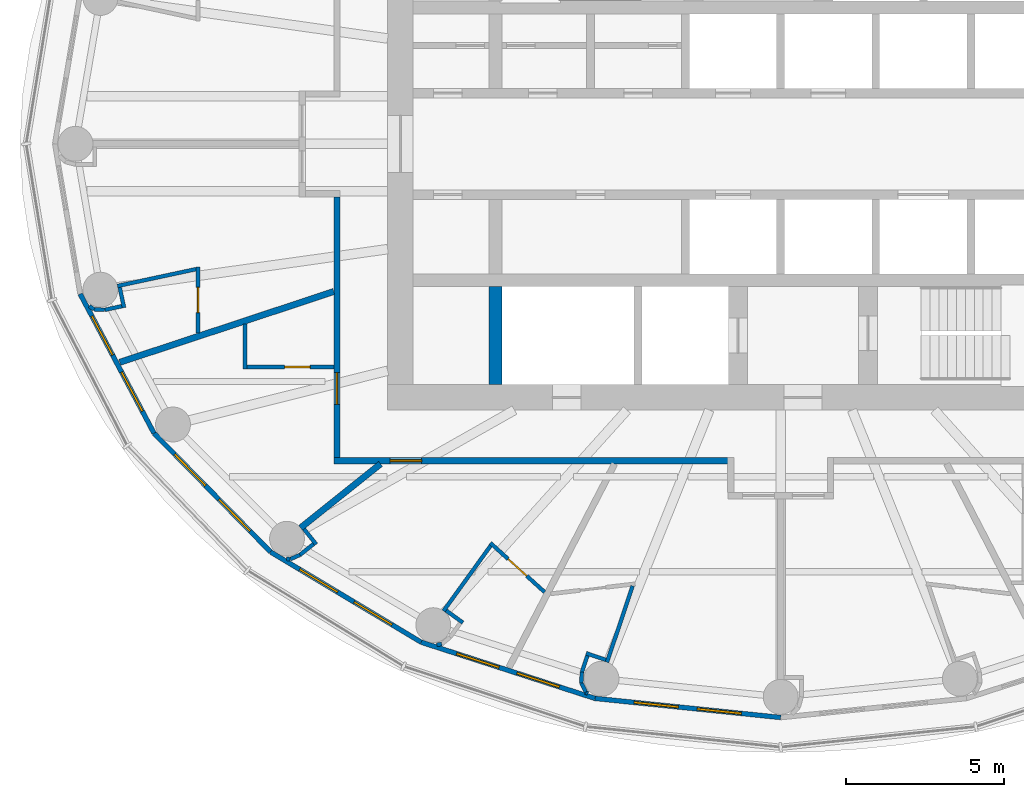
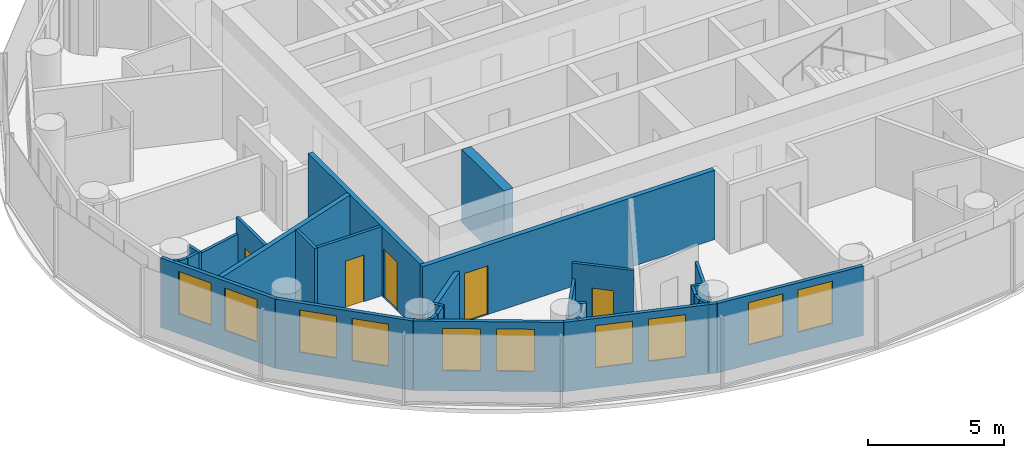
# One storey, part 6 of 13: 32 walls, 10 windows, 5 doors, 15 openings.
"""IFC4 building model written with IfcOpenShell, lengths in metres."""

from ifc_helpers import new_model, si_unit, direction, frame, frame_2d, origin, place, context, subcontext, project, spatial, rectangle, extrude, material, layer, layer_set, type_object, element, fill, save


model = new_model("IFC4")

# Units and contexts
model_context = context("Model", 3, precision=1e-05, world=origin(), true_north=direction((0.0, 1.0)))
body_context = subcontext(model_context, "Body", "Model", "MODEL_VIEW")
ifc_project = project(units=[si_unit("LENGTHUNIT", "METRE"), si_unit("AREAUNIT", "SQUARE_METRE"), si_unit("VOLUMEUNIT", "CUBIC_METRE"), si_unit("PLANEANGLEUNIT", "RADIAN"), si_unit("MASSUNIT", "GRAM", prefix="KILO")], contexts=[model_context])

# Site, building, storey
site_placement = place(None, origin())
site = spatial("IfcSite", under=ifc_project, at=site_placement, CompositionType="ELEMENT")
building_placement = place(site_placement, origin())
building = spatial("IfcBuilding", under=site, at=building_placement, Name="Hankou Lantern Tower", CompositionType="ELEMENT")
storey_placement = place(building_placement, frame((0.0, 0.0, 163.199951171875)))
storey = spatial("IfcBuildingStorey", under=building, at=storey_placement, Name="L43", CompositionType="ELEMENT", Elevation=163.199951171875)

# Wall
ifc_material_1 = material(Name="Concrete C60", Category="concrete")
ifc_layer_1 = layer(ifc_material_1, 0.39990234375)
ifc_layer_set_1 = layer_set([ifc_layer_1], Name="Concrete C60")
wall_type_1 = type_object("IfcWallType", Name="CW4 CORE CROSS WALL 400", PredefinedType="SHEAR", material=ifc_layer_set_1)
wall_1_placement = place(storey_placement, frame((-9.0, -7.60009765625, 0.0), z_axis=(0.0, 0.0, 1.0), x_axis=(0.0, 1.0, 0.0)))
element("IfcWall", 1, at=wall_1_placement, inside=storey, type_object=wall_type_1, Name="Core strip wall L43", PredefinedType="SHEAR", context=body_context, shape_type="SweptSolid", body=[
    extrude(rectangle(XDim=3.10009765625, YDim=0.39990234375, at=frame_2d((1.550048828125, 0.0))), origin(), (0.0, 0.0, 1.0), 3.300048828125),
])

# Wall, openings, windows
ifc_material_2 = material(Name="Aluminium spandrel panel on steel studs", Category="steel")
ifc_layer_2 = layer(ifc_material_2, 0.14990234375)
ifc_layer_set_2 = layer_set([ifc_layer_2], Name="Aluminium spandrel panel on steel studs")
wall_type_2 = type_object("IfcWallType", Name="EW1 INNER SKIN WALL 150", PredefinedType="ELEMENTEDWALL", material=ifc_layer_set_2)
wall_2_placement = place(storey_placement, frame((-22.1015625, -4.73779296875, 0.0), z_axis=(0.0, 0.0, 1.0), x_axis=(0.468428906714, -0.883501193748, 0.0)))
wall_2 = element("IfcWall", 2, at=wall_2_placement, inside=storey, type_object=wall_type_2, Name="Inner skin R14-R15 L43", PredefinedType="ELEMENTEDWALL", context=body_context, shape_type="SweptSolid", body=[
    extrude(rectangle(XDim=4.9736328125, YDim=0.14990234375, at=frame_2d((2.48681640625, 0.0))), origin(), (0.0, 0.0, 1.0), 3.1201171875),
])
opening_1_placement = place(wall_2_placement, frame((0.786865234375, 0.0, 0.89990234375)))
opening_1 = element("IfcOpeningElement", 3, at=opening_1_placement, cuts=wall_2, Name="Opening W3", PredefinedType="OPENING", context=body_context, shape_type="SweptSolid", body=[
    extrude(rectangle(XDim=1.39990234375, YDim=1.89990234375, at=frame_2d((0.699951171875, 0.949951171875))), frame((0.0, 0.0849609375, 0.0), z_axis=(0.0, -1.0, 0.0), x_axis=(1.0, 0.0, 0.0)), (0.0, 0.0, 1.0), 0.169921875),
])
opening_2_placement = place(wall_2_placement, frame((2.786865234375, 0.0, 0.89990234375)))
opening_2 = element("IfcOpeningElement", 4, at=opening_2_placement, cuts=wall_2, Name="Opening W3", PredefinedType="OPENING", context=body_context, shape_type="SweptSolid", body=[
    extrude(rectangle(XDim=1.39990234375, YDim=1.89990234375, at=frame_2d((0.699951171875, 0.949951171875))), frame((0.0, 0.0849609375, 0.0), z_axis=(0.0, -1.0, 0.0), x_axis=(1.0, 0.0, 0.0)), (0.0, 0.0, 1.0), 0.169921875),
])
ifc_material_3 = material(Name="Aluminium framed double glazed window", Category="aluminium")
window_type = type_object("IfcWindowType", Name="W3 GUEST ROOM WINDOW 1400X1900", PartitioningType="DOUBLE_PANEL_VERTICAL", PredefinedType="WINDOW", material=ifc_material_3)
window_1_placement = place(opening_1_placement, origin())
window_1 = element("IfcWindow", 5, at=window_1_placement, inside=storey, type_object=window_type, Name="Window R14.1 L43", OverallHeight=1.89990234375, OverallWidth=1.39990234375, PartitioningType="SINGLE_PANEL", PredefinedType="WINDOW", context=body_context, shape_type="SweptSolid", body=[
    extrude(rectangle(XDim=1.39990234375, YDim=1.89990234375, at=frame_2d((0.699951171875, 0.949951171875))), frame((0.0, 0.030029296875, 0.0), z_axis=(0.0, -1.0, 0.0), x_axis=(1.0, 0.0, 0.0)), (0.0, 0.0, 1.0), 0.06005859375),
])
fill(opening_1, window_1)
window_2_placement = place(opening_2_placement, origin())
window_2 = element("IfcWindow", 6, at=window_2_placement, inside=storey, type_object=window_type, Name="Window R14.2 L43", OverallHeight=1.89990234375, OverallWidth=1.39990234375, PartitioningType="SINGLE_PANEL", PredefinedType="WINDOW", context=body_context, shape_type="SweptSolid", body=[
    extrude(rectangle(XDim=1.39990234375, YDim=1.89990234375, at=frame_2d((0.699951171875, 0.949951171875))), frame((0.0, 0.030029296875, 0.0), z_axis=(0.0, -1.0, 0.0), x_axis=(1.0, 0.0, 0.0)), (0.0, 0.0, 1.0), 0.06005859375),
])
fill(opening_2, window_2)

wall_3_placement = place(storey_placement, frame((-19.771728515625, -9.132080078125, 0.0), z_axis=(0.0, 0.0, 1.0), x_axis=(0.700727467776, -0.71342905457, 0.0)))
wall_3 = element("IfcWall", 7, at=wall_3_placement, inside=storey, type_object=wall_type_2, Name="Inner skin R15-R16 L43", PredefinedType="ELEMENTEDWALL", context=body_context, shape_type="SweptSolid", body=[
    extrude(rectangle(XDim=5.247314453125, YDim=0.14990234375, at=frame_2d((2.62353515625, 0.0))), origin(), (0.0, 0.0, 1.0), 3.1201171875),
])
opening_3_placement = place(wall_3_placement, frame((0.923583984375, 0.0, 0.89990234375)))
opening_3 = element("IfcOpeningElement", 8, at=opening_3_placement, cuts=wall_3, Name="Opening W3", PredefinedType="OPENING", context=body_context, shape_type="SweptSolid", body=[
    extrude(rectangle(XDim=1.39990234375, YDim=1.89990234375, at=frame_2d((0.699951171875, 0.949951171875))), frame((0.0, 0.0849609375, 0.0), z_axis=(0.0, -1.0, 0.0), x_axis=(1.0, 0.0, 0.0)), (0.0, 0.0, 1.0), 0.169921875),
])
opening_4_placement = place(wall_3_placement, frame((2.923583984375, 0.0, 0.89990234375)))
opening_4 = element("IfcOpeningElement", 9, at=opening_4_placement, cuts=wall_3, Name="Opening W3", PredefinedType="OPENING", context=body_context, shape_type="SweptSolid", body=[
    extrude(rectangle(XDim=1.39990234375, YDim=1.89990234375, at=frame_2d((0.699951171875, 0.949951171875))), frame((0.0, 0.0849609375, 0.0), z_axis=(0.0, -1.0, 0.0), x_axis=(1.0, 0.0, 0.0)), (0.0, 0.0, 1.0), 0.169921875),
])
window_3_placement = place(opening_3_placement, origin())
window_3 = element("IfcWindow", 10, at=window_3_placement, inside=storey, type_object=window_type, Name="Window R15.1 L43", OverallHeight=1.89990234375, OverallWidth=1.39990234375, PartitioningType="SINGLE_PANEL", PredefinedType="WINDOW", context=body_context, shape_type="SweptSolid", body=[
    extrude(rectangle(XDim=1.39990234375, YDim=1.89990234375, at=frame_2d((0.699951171875, 0.949951171875))), frame((0.0, 0.030029296875, 0.0), z_axis=(0.0, -1.0, 0.0), x_axis=(1.0, 0.0, 0.0)), (0.0, 0.0, 1.0), 0.06005859375),
])
fill(opening_3, window_3)
window_4_placement = place(opening_4_placement, origin())
window_4 = element("IfcWindow", 11, at=window_4_placement, inside=storey, type_object=window_type, Name="Window R15.2 L43", OverallHeight=1.89990234375, OverallWidth=1.39990234375, PartitioningType="SINGLE_PANEL", PredefinedType="WINDOW", context=body_context, shape_type="SweptSolid", body=[
    extrude(rectangle(XDim=1.39990234375, YDim=1.89990234375, at=frame_2d((0.699951171875, 0.949951171875))), frame((0.0, 0.030029296875, 0.0), z_axis=(0.0, -1.0, 0.0), x_axis=(1.0, 0.0, 0.0)), (0.0, 0.0, 1.0), 0.06005859375),
])
fill(opening_4, window_4)

wall_4_placement = place(storey_placement, frame((-16.0947265625, -12.875732421875, 0.0), z_axis=(0.0, 0.0, 1.0), x_axis=(0.857695199231, -0.514158482587, 0.0)))
wall_4 = element("IfcWall", 12, at=wall_4_placement, inside=storey, type_object=wall_type_2, Name="Inner skin R16-R17 L43", PredefinedType="ELEMENTEDWALL", context=body_context, shape_type="SweptSolid", body=[
    extrude(rectangle(XDim=5.5361328125, YDim=0.14990234375, at=frame_2d((2.76806640625, 0.0))), origin(), (0.0, 0.0, 1.0), 3.1201171875),
])
opening_5_placement = place(wall_4_placement, frame((1.068115234375, 0.0, 0.89990234375)))
opening_5 = element("IfcOpeningElement", 13, at=opening_5_placement, cuts=wall_4, Name="Opening W3", PredefinedType="OPENING", context=body_context, shape_type="SweptSolid", body=[
    extrude(rectangle(XDim=1.39990234375, YDim=1.89990234375, at=frame_2d((0.699951171875, 0.949951171875))), frame((0.0, 0.0849609375, 0.0), z_axis=(0.0, -1.0, 0.0), x_axis=(1.0, 0.0, 0.0)), (0.0, 0.0, 1.0), 0.169921875),
])
opening_6_placement = place(wall_4_placement, frame((3.068115234375, 0.0, 0.89990234375)))
opening_6 = element("IfcOpeningElement", 14, at=opening_6_placement, cuts=wall_4, Name="Opening W3", PredefinedType="OPENING", context=body_context, shape_type="SweptSolid", body=[
    extrude(rectangle(XDim=1.39990234375, YDim=1.89990234375, at=frame_2d((0.699951171875, 0.949951171875))), frame((0.0, 0.0849609375, 0.0), z_axis=(0.0, -1.0, 0.0), x_axis=(1.0, 0.0, 0.0)), (0.0, 0.0, 1.0), 0.169921875),
])
window_5_placement = place(opening_5_placement, origin())
window_5 = element("IfcWindow", 15, at=window_5_placement, inside=storey, type_object=window_type, Name="Window R16.1 L43", OverallHeight=1.89990234375, OverallWidth=1.39990234375, PartitioningType="SINGLE_PANEL", PredefinedType="WINDOW", context=body_context, shape_type="SweptSolid", body=[
    extrude(rectangle(XDim=1.39990234375, YDim=1.89990234375, at=frame_2d((0.699951171875, 0.949951171875))), frame((0.0, 0.030029296875, 0.0), z_axis=(0.0, -1.0, 0.0), x_axis=(1.0, 0.0, 0.0)), (0.0, 0.0, 1.0), 0.06005859375),
])
fill(opening_5, window_5)
window_6_placement = place(opening_6_placement, origin())
window_6 = element("IfcWindow", 16, at=window_6_placement, inside=storey, type_object=window_type, Name="Window R16.2 L43", OverallHeight=1.89990234375, OverallWidth=1.39990234375, PartitioningType="SINGLE_PANEL", PredefinedType="WINDOW", context=body_context, shape_type="SweptSolid", body=[
    extrude(rectangle(XDim=1.39990234375, YDim=1.89990234375, at=frame_2d((0.699951171875, 0.949951171875))), frame((0.0, 0.030029296875, 0.0), z_axis=(0.0, -1.0, 0.0), x_axis=(1.0, 0.0, 0.0)), (0.0, 0.0, 1.0), 0.06005859375),
])
fill(opening_6, window_6)

wall_5_placement = place(storey_placement, frame((-11.346435546875, -15.72216796875, 0.0), z_axis=(0.0, 0.0, 1.0), x_axis=(0.951432482129, -0.307857486429, 0.0)))
wall_5 = element("IfcWall", 17, at=wall_5_placement, inside=storey, type_object=wall_type_2, Name="Inner skin R17-R18 L43", PredefinedType="ELEMENTEDWALL", context=body_context, shape_type="SweptSolid", body=[
    extrude(rectangle(XDim=5.76611328125, YDim=0.14990234375, at=frame_2d((2.883056640625, 0.0))), origin(), (0.0, 0.0, 1.0), 3.1201171875),
])
opening_7_placement = place(wall_5_placement, frame((1.18310546875, 0.0, 0.89990234375)))
opening_7 = element("IfcOpeningElement", 18, at=opening_7_placement, cuts=wall_5, Name="Opening W3", PredefinedType="OPENING", context=body_context, shape_type="SweptSolid", body=[
    extrude(rectangle(XDim=1.39990234375, YDim=1.89990234375, at=frame_2d((0.699951171875, 0.949951171875))), frame((0.0, 0.0849609375, 0.0), z_axis=(0.0, -1.0, 0.0), x_axis=(1.0, 0.0, 0.0)), (0.0, 0.0, 1.0), 0.169921875),
])
opening_8_placement = place(wall_5_placement, frame((3.18310546875, 0.0, 0.89990234375)))
opening_8 = element("IfcOpeningElement", 19, at=opening_8_placement, cuts=wall_5, Name="Opening W3", PredefinedType="OPENING", context=body_context, shape_type="SweptSolid", body=[
    extrude(rectangle(XDim=1.39990234375, YDim=1.89990234375, at=frame_2d((0.699951171875, 0.949951171875))), frame((0.0, 0.0849609375, 0.0), z_axis=(0.0, -1.0, 0.0), x_axis=(1.0, 0.0, 0.0)), (0.0, 0.0, 1.0), 0.169921875),
])
window_7_placement = place(opening_7_placement, origin())
window_7 = element("IfcWindow", 20, at=window_7_placement, inside=storey, type_object=window_type, Name="Window R17.1 L43", OverallHeight=1.89990234375, OverallWidth=1.39990234375, PartitioningType="SINGLE_PANEL", PredefinedType="WINDOW", context=body_context, shape_type="SweptSolid", body=[
    extrude(rectangle(XDim=1.39990234375, YDim=1.89990234375, at=frame_2d((0.699951171875, 0.949951171875))), frame((0.0, 0.030029296875, 0.0), z_axis=(0.0, -1.0, 0.0), x_axis=(1.0, 0.0, 0.0)), (0.0, 0.0, 1.0), 0.06005859375),
])
fill(opening_7, window_7)
window_8_placement = place(opening_8_placement, origin())
window_8 = element("IfcWindow", 21, at=window_8_placement, inside=storey, type_object=window_type, Name="Window R17.2 L43", OverallHeight=1.89990234375, OverallWidth=1.39990234375, PartitioningType="SINGLE_PANEL", PredefinedType="WINDOW", context=body_context, shape_type="SweptSolid", body=[
    extrude(rectangle(XDim=1.39990234375, YDim=1.89990234375, at=frame_2d((0.699951171875, 0.949951171875))), frame((0.0, 0.030029296875, 0.0), z_axis=(0.0, -1.0, 0.0), x_axis=(1.0, 0.0, 0.0)), (0.0, 0.0, 1.0), 0.06005859375),
])
fill(opening_8, window_8)

wall_6_placement = place(storey_placement, frame((-5.8603515625, -17.497314453125, 0.0), z_axis=(0.0, 0.0, 1.0), x_axis=(0.994751738032, -0.102318032045, 0.0)))
wall_6 = element("IfcWall", 22, at=wall_6_placement, inside=storey, type_object=wall_type_2, Name="Inner skin R18-R19 L43", PredefinedType="ELEMENTEDWALL", context=body_context, shape_type="SweptSolid", body=[
    extrude(rectangle(XDim=5.891357421875, YDim=0.14990234375, at=frame_2d((2.94580078125, 0.0))), origin(), (0.0, 0.0, 1.0), 3.1201171875),
])
opening_9_placement = place(wall_6_placement, frame((1.24560546875, 0.0, 0.89990234375)))
opening_9 = element("IfcOpeningElement", 23, at=opening_9_placement, cuts=wall_6, Name="Opening W3", PredefinedType="OPENING", context=body_context, shape_type="SweptSolid", body=[
    extrude(rectangle(XDim=1.39990234375, YDim=1.89990234375, at=frame_2d((0.699951171875, 0.949951171875))), frame((0.0, 0.0849609375, 0.0), z_axis=(0.0, -1.0, 0.0), x_axis=(1.0, 0.0, 0.0)), (0.0, 0.0, 1.0), 0.169921875),
])
opening_10_placement = place(wall_6_placement, frame((3.24560546875, 0.0, 0.89990234375)))
opening_10 = element("IfcOpeningElement", 24, at=opening_10_placement, cuts=wall_6, Name="Opening W3", PredefinedType="OPENING", context=body_context, shape_type="SweptSolid", body=[
    extrude(rectangle(XDim=1.39990234375, YDim=1.89990234375, at=frame_2d((0.699951171875, 0.949951171875))), frame((0.0, 0.0849609375, 0.0), z_axis=(0.0, -1.0, 0.0), x_axis=(1.0, 0.0, 0.0)), (0.0, 0.0, 1.0), 0.169921875),
])
window_9_placement = place(opening_9_placement, origin())
window_9 = element("IfcWindow", 25, at=window_9_placement, inside=storey, type_object=window_type, Name="Window R18.1 L43", OverallHeight=1.89990234375, OverallWidth=1.39990234375, PartitioningType="SINGLE_PANEL", PredefinedType="WINDOW", context=body_context, shape_type="SweptSolid", body=[
    extrude(rectangle(XDim=1.39990234375, YDim=1.89990234375, at=frame_2d((0.699951171875, 0.949951171875))), frame((0.0, 0.030029296875, 0.0), z_axis=(0.0, -1.0, 0.0), x_axis=(1.0, 0.0, 0.0)), (0.0, 0.0, 1.0), 0.06005859375),
])
fill(opening_9, window_9)
window_10_placement = place(opening_10_placement, origin())
window_10 = element("IfcWindow", 26, at=window_10_placement, inside=storey, type_object=window_type, Name="Window R18.2 L43", OverallHeight=1.89990234375, OverallWidth=1.39990234375, PartitioningType="SINGLE_PANEL", PredefinedType="WINDOW", context=body_context, shape_type="SweptSolid", body=[
    extrude(rectangle(XDim=1.39990234375, YDim=1.89990234375, at=frame_2d((0.699951171875, 0.949951171875))), frame((0.0, 0.030029296875, 0.0), z_axis=(0.0, -1.0, 0.0), x_axis=(1.0, 0.0, 0.0)), (0.0, 0.0, 1.0), 0.06005859375),
])
fill(opening_10, window_10)

# Walls
ifc_material_4 = material(Name="Masonry lightweight concrete block", Category="masonry")
ifc_layer_3 = layer(ifc_material_4, 0.199951171875)
ifc_layer_set_3 = layer_set([ifc_layer_3], Name="Masonry lightweight concrete block")
wall_type_3 = type_object("IfcWallType", Name="IW1 GUEST ROOM PARTY WALL 200", PredefinedType="PARTITIONING", material=ifc_layer_set_3)
wall_7_placement = place(storey_placement, frame((-14.10009765625, -4.661376953125, 0.0), z_axis=(0.0, 0.0, 1.0), x_axis=(-0.949453216399, -0.313908569285, 0.0)))
element("IfcWall", 27, at=wall_7_placement, inside=storey, type_object=wall_type_3, Name="Party wall R14-R15", PredefinedType="PARTITIONING", context=body_context, shape_type="SweptSolid", body=[
    extrude(rectangle(XDim=7.108642578125, YDim=0.199951171875, at=frame_2d((3.55419921875, 0.0))), origin(), (0.0, 0.0, 1.0), 3.1201171875),
])
wall_8_placement = place(storey_placement, frame((-12.625, -10.10009765625, 0.0), z_axis=(0.0, 0.0, 1.0), x_axis=(-0.780876185034, -0.624685827954, 0.0)))
element("IfcWall", 28, at=wall_8_placement, inside=storey, type_object=wall_type_3, Name="Party wall R16", PredefinedType="PARTITIONING", context=body_context, shape_type="SweptSolid", body=[
    extrude(rectangle(XDim=3.229248046875, YDim=0.199951171875, at=frame_2d((1.61474609375, 0.0))), origin(), (0.0, 0.0, 1.0), 2.420166015625),
])

# Wall, opening, door
ifc_material_5 = material(Name="Masonry lightweight concrete block", Category="masonry")
ifc_layer_4 = layer(ifc_material_5, 0.199951171875)
ifc_layer_set_4 = layer_set([ifc_layer_4], Name="Masonry lightweight concrete block")
wall_type_4 = type_object("IfcWallType", Name="IW2 CORRIDOR WALL 200", PredefinedType="PARTITIONING", material=ifc_layer_set_4)
wall_9_placement = place(storey_placement, frame((-14.0, -1.669921875, 0.0), z_axis=(0.0, 0.0, 1.0), x_axis=(0.0, -1.0, 0.0)))
wall_9 = element("IfcWall", 29, at=wall_9_placement, inside=storey, type_object=wall_type_4, Name="Corridor wall west", PredefinedType="PARTITIONING", context=body_context, shape_type="SweptSolid", body=[
    extrude(rectangle(XDim=8.22998046875, YDim=0.199951171875, at=frame_2d((4.114990234375, 0.0))), origin(), (0.0, 0.0, 1.0), 3.1201171875),
])
opening_11_placement = place(wall_9_placement, frame((5.551513671875, 0.0, 0.0)))
opening_11 = element("IfcOpeningElement", 30, at=opening_11_placement, cuts=wall_9, Name="Opening D1", PredefinedType="OPENING", context=body_context, shape_type="SweptSolid", body=[
    extrude(rectangle(XDim=1.0, YDim=2.199951171875, at=frame_2d((0.5, 1.10009765625))), frame((0.0, 0.10986328125, 0.0), z_axis=(0.0, -1.0, 0.0), x_axis=(1.0, 0.0, 0.0)), (0.0, 0.0, 1.0), 0.219970703125),
])
ifc_material_6 = material(Name="Steel door leaf", Category="steel")
door_type_1 = type_object("IfcDoorType", Name="D1 GUEST ROOM DOOR 1000X2200", OperationType="SINGLE_SWING_LEFT", PredefinedType="DOOR", material=ifc_material_6)
door_1_placement = place(opening_11_placement, origin())
door_1 = element("IfcDoor", 31, at=door_1_placement, inside=storey, type_object=door_type_1, Name="Guest room door 4305", OperationType="SINGLE_SWING_RIGHT", OverallHeight=2.199951171875, OverallWidth=1.0, PredefinedType="DOOR", context=body_context, shape_type="SweptSolid", body=[
    extrude(rectangle(XDim=1.0, YDim=2.199951171875, at=frame_2d((0.5, 1.10009765625))), frame((0.0, 0.02490234375, 0.0), z_axis=(0.0, -1.0, 0.0), x_axis=(1.0, 0.0, 0.0)), (0.0, 0.0, 1.0), 0.050048828125),
])
fill(opening_11, door_1)

wall_10_placement = place(storey_placement, frame((-1.669921875, -10.0, 0.0), z_axis=(0.0, 0.0, 1.0), x_axis=(-1.0, 0.0, 0.0)))
wall_10 = element("IfcWall", 32, at=wall_10_placement, inside=storey, type_object=wall_type_4, Name="Corridor wall south", PredefinedType="PARTITIONING", context=body_context, shape_type="SweptSolid", body=[
    extrude(rectangle(XDim=12.43017578125, YDim=0.199951171875, at=frame_2d((6.215087890625, 0.0))), origin(), (0.0, 0.0, 1.0), 3.1201171875),
])
opening_12_placement = place(wall_10_placement, frame((9.655029296875, 0.0, 0.0)))
opening_12 = element("IfcOpeningElement", 33, at=opening_12_placement, cuts=wall_10, Name="Opening D1", PredefinedType="OPENING", context=body_context, shape_type="SweptSolid", body=[
    extrude(rectangle(XDim=1.0, YDim=2.199951171875, at=frame_2d((0.5, 1.10009765625))), frame((0.0, 0.10986328125, 0.0), z_axis=(0.0, -1.0, 0.0), x_axis=(1.0, 0.0, 0.0)), (0.0, 0.0, 1.0), 0.219970703125),
])
door_2_placement = place(opening_12_placement, origin())
door_2 = element("IfcDoor", 34, at=door_2_placement, inside=storey, type_object=door_type_1, Name="Guest room door 4306", OperationType="SINGLE_SWING_LEFT", OverallHeight=2.199951171875, OverallWidth=1.0, PredefinedType="DOOR", context=body_context, shape_type="SweptSolid", body=[
    extrude(rectangle(XDim=1.0, YDim=2.199951171875, at=frame_2d((0.5, 1.10009765625))), frame((0.0, 0.02490234375, 0.0), z_axis=(0.0, -1.0, 0.0), x_axis=(1.0, 0.0, 0.0)), (0.0, 0.0, 1.0), 0.050048828125),
])
fill(opening_12, door_2)

ifc_material_7 = material(Name="Masonry lightweight concrete block", Category="masonry")
ifc_layer_5 = layer(ifc_material_7, 0.1201171875)
ifc_layer_set_5 = layer_set([ifc_layer_5], Name="Masonry lightweight concrete block")
wall_type_5 = type_object("IfcWallType", Name="IW3 BATHROOM WALL 120", PredefinedType="PARTITIONING", material=ifc_layer_set_5)
wall_11_placement = place(storey_placement, frame((-18.380859375, -5.971435546875, 0.0), z_axis=(0.0, 0.0, 1.0), x_axis=(-0.000934142516, 0.999999563689, 0.0)))
wall_11 = element("IfcWall", 35, at=wall_11_placement, inside=storey, type_object=wall_type_5, Name="Box wall 4304 1", PredefinedType="PARTITIONING", context=body_context, shape_type="SweptSolid", body=[
    extrude(rectangle(XDim=2.0908203125, YDim=0.1201171875, at=frame_2d((1.04541015625, 0.0))), origin(), (0.0, 0.0, 1.0), 3.1201171875),
])
opening_13_placement = place(wall_11_placement, frame((0.6455078125, 0.0, 0.0)))
opening_13 = element("IfcOpeningElement", 36, at=opening_13_placement, cuts=wall_11, Name="Opening D3", PredefinedType="OPENING", context=body_context, shape_type="SweptSolid", body=[
    extrude(rectangle(XDim=0.800048828125, YDim=2.10009765625, at=frame_2d((0.39990234375, 1.050048828125))), frame((0.0, 0.070068359375, 0.0), z_axis=(0.0, -1.0, 0.0), x_axis=(1.0, 0.0, 0.0)), (0.0, 0.0, 1.0), 0.14013671875),
])
ifc_material_8 = material(Name="Timber door leaf", Category="wood")
door_type_2 = type_object("IfcDoorType", Name="D3 BATHROOM DOOR 800X2100", OperationType="SINGLE_SWING_LEFT", PredefinedType="DOOR", material=ifc_material_8)
door_3_placement = place(opening_13_placement, origin())
door_3 = element("IfcDoor", 37, at=door_3_placement, inside=storey, type_object=door_type_2, Name="En-suite bathroom 4304 door", OperationType="SINGLE_SWING_RIGHT", OverallHeight=2.10009765625, OverallWidth=0.800048828125, PredefinedType="DOOR", context=body_context, shape_type="SweptSolid", body=[
    extrude(rectangle(XDim=0.800048828125, YDim=2.10009765625, at=frame_2d((0.39990234375, 1.050048828125))), frame((0.0, 0.02490234375, 0.0), z_axis=(0.0, -1.0, 0.0), x_axis=(1.0, 0.0, 0.0)), (0.0, 0.0, 1.0), 0.050048828125),
])
fill(opening_13, door_3)

# Walls
wall_12_placement = place(storey_placement, frame((-18.44140625, -3.953125, 0.0), z_axis=(0.0, 0.0, 1.0), x_axis=(-0.977801007461, -0.209535652833, 0.0)))
element("IfcWall", 38, at=wall_12_placement, inside=storey, type_object=wall_type_5, Name="Box wall 4304 2", PredefinedType="PARTITIONING", context=body_context, shape_type="SweptSolid", body=[
    extrude(rectangle(XDim=2.5400390625, YDim=0.1201171875, at=frame_2d((1.27001953125, 0.0))), origin(), (0.0, 0.0, 1.0), 2.420166015625),
])
wall_13_placement = place(storey_placement, frame((-20.853759765625, -4.531494140625, 0.0), z_axis=(0.0, 0.0, 1.0), x_axis=(0.209631346779, -0.977780496046, 0.0)))
element("IfcWall", 39, at=wall_13_placement, inside=storey, type_object=wall_type_5, Name="Column casing 4304 return", PredefinedType="PARTITIONING", context=body_context, shape_type="SweptSolid", body=[
    extrude(rectangle(XDim=0.652099609375, YDim=0.1201171875, at=frame_2d((0.326171875, 0.0))), origin(), (0.0, 0.0, 1.0), 3.1201171875),
])
wall_14_placement = place(storey_placement, frame((-20.788330078125, -5.123291015625, 0.0), z_axis=(0.0, 0.0, 1.0), x_axis=(-0.977789415726, -0.209589738521, 0.0)))
element("IfcWall", 40, at=wall_14_placement, inside=storey, type_object=wall_type_5, Name="Column casing 4304", PredefinedType="PARTITIONING", context=body_context, shape_type="SweptSolid", body=[
    extrude(rectangle(XDim=0.5498046875, YDim=0.1201171875, at=frame_2d((0.27490234375, 0.0))), origin(), (0.0, 0.0, 1.0), 3.1201171875),
])
wall_15_placement = place(storey_placement, frame((-21.325927734375, -5.238525390625, 0.0), z_axis=(0.0, 0.0, 1.0), x_axis=(-0.998719689441, 0.050586380797, 0.0)))
element("IfcWall", 41, at=wall_15_placement, inside=storey, type_object=wall_type_5, Name="Column casing 4304", PredefinedType="PARTITIONING", context=body_context, shape_type="SweptSolid", body=[
    extrude(rectangle(XDim=0.337890625, YDim=0.1201171875, at=frame_2d((0.1689453125, 0.0))), origin(), (0.0, 0.0, 1.0), 3.1201171875),
])
wall_16_placement = place(storey_placement, frame((-21.663330078125, -5.221435546875, 0.0), z_axis=(0.0, 0.0, 1.0), x_axis=(-0.839279022252, 0.543700949795, 0.0)))
element("IfcWall", 42, at=wall_16_placement, inside=storey, type_object=wall_type_5, Name="Column casing 4304", PredefinedType="PARTITIONING", context=body_context, shape_type="SweptSolid", body=[
    extrude(rectangle(XDim=0.18017578125, YDim=0.1201171875, at=frame_2d((0.090087890625, 0.0))), origin(), (0.0, 0.0, 1.0), 3.1201171875),
])
wall_17_placement = place(storey_placement, frame((-16.89990234375, -5.687255859375, 0.0), z_axis=(0.0, 0.0, 1.0), x_axis=(0.0, -1.0, 0.0)))
element("IfcWall", 43, at=wall_17_placement, inside=storey, type_object=wall_type_5, Name="Box wall 4305 1", PredefinedType="PARTITIONING", context=body_context, shape_type="SweptSolid", body=[
    extrude(rectangle(XDim=1.414306640625, YDim=0.1201171875, at=frame_2d((0.70703125, 0.0))), origin(), (0.0, 0.0, 1.0), 3.1201171875),
])

# Wall, opening, door
wall_18_placement = place(storey_placement, frame((-14.10009765625, -7.04150390625, 0.0), z_axis=(0.0, 0.0, 1.0), x_axis=(-1.0, 0.0, 0.0)))
wall_18 = element("IfcWall", 44, at=wall_18_placement, inside=storey, type_object=wall_type_5, Name="Box wall 4305 1", PredefinedType="PARTITIONING", context=body_context, shape_type="SweptSolid", body=[
    extrude(rectangle(XDim=2.739990234375, YDim=0.1201171875, at=frame_2d((1.3701171875, 0.0))), origin(), (0.0, 0.0, 1.0), 3.1201171875),
])
opening_14_placement = place(wall_18_placement, frame((0.75, 0.0, 0.0)))
opening_14 = element("IfcOpeningElement", 45, at=opening_14_placement, cuts=wall_18, Name="Opening D3", PredefinedType="OPENING", context=body_context, shape_type="SweptSolid", body=[
    extrude(rectangle(XDim=0.800048828125, YDim=2.10009765625, at=frame_2d((0.39990234375, 1.050048828125))), frame((0.0, 0.070068359375, 0.0), z_axis=(0.0, -1.0, 0.0), x_axis=(1.0, 0.0, 0.0)), (0.0, 0.0, 1.0), 0.14013671875),
])
door_4_placement = place(opening_14_placement, origin())
door_4 = element("IfcDoor", 46, at=door_4_placement, inside=storey, type_object=door_type_2, Name="En-suite bathroom 4305 door", OperationType="SINGLE_SWING_LEFT", OverallHeight=2.10009765625, OverallWidth=0.800048828125, PredefinedType="DOOR", context=body_context, shape_type="SweptSolid", body=[
    extrude(rectangle(XDim=0.800048828125, YDim=2.10009765625, at=frame_2d((0.39990234375, 1.050048828125))), frame((0.0, 0.02490234375, 0.0), z_axis=(0.0, -1.0, 0.0), x_axis=(1.0, 0.0, 0.0)), (0.0, 0.0, 1.0), 0.050048828125),
])
fill(opening_14, door_4)

wall_19_placement = place(storey_placement, frame((-7.44970703125, -14.1416015625, 0.0), z_axis=(0.0, 0.0, 1.0), x_axis=(-0.74113984586, 0.671350675041, 0.0)))
wall_19 = element("IfcWall", 47, at=wall_19_placement, inside=storey, type_object=wall_type_5, Name="Box wall 4306 1", PredefinedType="PARTITIONING", context=body_context, shape_type="SweptSolid", body=[
    extrude(rectangle(XDim=2.308837890625, YDim=0.1201171875, at=frame_2d((1.154296875, 0.0))), origin(), (0.0, 0.0, 1.0), 3.1201171875),
])
opening_15_placement = place(wall_19_placement, frame((0.75439453125, 0.0, 0.0)))
opening_15 = element("IfcOpeningElement", 48, at=opening_15_placement, cuts=wall_19, Name="Opening D3", PredefinedType="OPENING", context=body_context, shape_type="SweptSolid", body=[
    extrude(rectangle(XDim=0.800048828125, YDim=2.10009765625, at=frame_2d((0.39990234375, 1.050048828125))), frame((0.0, 0.070068359375, 0.0), z_axis=(0.0, -1.0, 0.0), x_axis=(1.0, 0.0, 0.0)), (0.0, 0.0, 1.0), 0.14013671875),
])
door_5_placement = place(opening_15_placement, origin())
door_5 = element("IfcDoor", 49, at=door_5_placement, inside=storey, type_object=door_type_2, Name="En-suite bathroom 4306 door", OperationType="SINGLE_SWING_RIGHT", OverallHeight=2.10009765625, OverallWidth=0.800048828125, PredefinedType="DOOR", context=body_context, shape_type="SweptSolid", body=[
    extrude(rectangle(XDim=0.800048828125, YDim=2.10009765625, at=frame_2d((0.39990234375, 1.050048828125))), frame((0.0, 0.02490234375, 0.0), z_axis=(0.0, -1.0, 0.0), x_axis=(1.0, 0.0, 0.0)), (0.0, 0.0, 1.0), 0.050048828125),
])
fill(opening_15, door_5)

# Walls
wall_20_placement = place(storey_placement, frame((-9.1513671875, -12.6806640625, 0.0), z_axis=(0.0, 0.0, 1.0), x_axis=(-0.585258912334, -0.8108464747, 0.0)))
element("IfcWall", 50, at=wall_20_placement, inside=storey, type_object=wall_type_5, Name="Box wall 4306 2", PredefinedType="PARTITIONING", context=body_context, shape_type="SweptSolid", body=[
    extrude(rectangle(XDim=2.5400390625, YDim=0.1201171875, at=frame_2d((1.27001953125, 0.0))), origin(), (0.0, 0.0, 1.0), 2.420166015625),
])
wall_21_placement = place(storey_placement, frame((-10.55419921875, -14.726806640625, 0.0), z_axis=(0.0, 0.0, 1.0), x_axis=(0.811044231224, -0.584984833135, 0.0)))
element("IfcWall", 51, at=wall_21_placement, inside=storey, type_object=wall_type_5, Name="Column casing 4306 return", PredefinedType="PARTITIONING", context=body_context, shape_type="SweptSolid", body=[
    extrude(rectangle(XDim=0.65234375, YDim=0.1201171875, at=frame_2d((0.326171875, 0.0))), origin(), (0.0, 0.0, 1.0), 3.1201171875),
])
wall_22_placement = place(storey_placement, frame((-10.692626953125, -15.78125, 0.0), z_axis=(0.0, 0.0, 1.0), x_axis=(-0.987256785332, -0.159135287777, 0.0)))
element("IfcWall", 52, at=wall_22_placement, inside=storey, type_object=wall_type_5, Name="Column casing 4306", PredefinedType="PARTITIONING", context=body_context, shape_type="SweptSolid", body=[
    extrude(rectangle(XDim=0.157958984375, YDim=0.1201171875, at=frame_2d((0.0791015625, 0.0))), origin(), (0.0, 0.0, 1.0), 3.1201171875),
])
wall_23_placement = place(storey_placement, frame((-4.67138671875, -13.947509765625, 0.0), z_axis=(0.0, 0.0, 1.0), x_axis=(-0.317669167093, -0.948201613729, 0.0)))
element("IfcWall", 53, at=wall_23_placement, inside=storey, type_object=wall_type_5, Name="Box wall 4307 2", PredefinedType="PARTITIONING", context=body_context, shape_type="SweptSolid", body=[
    extrude(rectangle(XDim=2.5400390625, YDim=0.1201171875, at=frame_2d((1.27001953125, 0.0))), origin(), (0.0, 0.0, 1.0), 2.420166015625),
])
wall_24_placement = place(storey_placement, frame((-5.51611328125, -16.280029296875, 0.0), z_axis=(0.0, 0.0, 1.0), x_axis=(-0.948157944392, 0.317799484717, 0.0)))
element("IfcWall", 54, at=wall_24_placement, inside=storey, type_object=wall_type_5, Name="Column casing 4307 return", PredefinedType="PARTITIONING", context=body_context, shape_type="SweptSolid", body=[
    extrude(rectangle(XDim=0.652099609375, YDim=0.1201171875, at=frame_2d((0.326171875, 0.0))), origin(), (0.0, 0.0, 1.0), 3.1201171875),
])
wall_25_placement = place(storey_placement, frame((-6.0966796875, -16.148681640625, 0.0), z_axis=(0.0, 0.0, 1.0), x_axis=(-0.317292604854, -0.948327687514, 0.0)))
element("IfcWall", 55, at=wall_25_placement, inside=storey, type_object=wall_type_5, Name="Column casing 4307", PredefinedType="PARTITIONING", context=body_context, shape_type="SweptSolid", body=[
    extrude(rectangle(XDim=0.550048828125, YDim=0.1201171875, at=frame_2d((0.27490234375, 0.0))), origin(), (0.0, 0.0, 1.0), 3.1201171875),
])
for number, where, z_axis, x_axis, name in (
    (56, (-6.271240234375, -16.67041015625, 0.0), (0.0, 0.0, 1.0), (-0.061477694849, -0.998108457552, 0.0), "Column casing 4307"),
    (57, (-6.2919921875, -17.00732421875, 0.0), (0.0, 0.0, 1.0), (0.445477128334, -0.895293319606, 0.0), "Column casing 4307"),
):
    element("IfcWall", number, at=place(storey_placement, frame(where, z_axis=z_axis, x_axis=x_axis)), inside=storey, type_object=wall_type_5, Name=name, PredefinedType="PARTITIONING", context=body_context, shape_type="SweptSolid", body=[
        extrude(rectangle(XDim=0.337646484375, YDim=0.1201171875, at=frame_2d((0.1689453125, 0.0))), origin(), (0.0, 0.0, 1.0), 3.1201171875),
    ])
wall_26_placement = place(storey_placement, frame((-6.1416015625, -17.3095703125, 0.0), z_axis=(0.0, 0.0, 1.0), x_axis=(0.835039693181, -0.550189704386, 0.0)))
element("IfcWall", 58, at=wall_26_placement, inside=storey, type_object=wall_type_5, Name="Column casing 4307", PredefinedType="PARTITIONING", context=body_context, shape_type="SweptSolid", body=[
    extrude(rectangle(XDim=0.0625, YDim=0.1201171875, at=frame_2d((0.03125, 0.0))), origin(), (0.0, 0.0, 1.0), 3.1201171875),
])
ifc_material_9 = material(Name="Masonry lightweight concrete block", Category="masonry")
ifc_layer_6 = layer(ifc_material_9, 0.1201171875)
ifc_layer_set_6 = layer_set([ifc_layer_6], Name="Masonry lightweight concrete block")
wall_type_6 = type_object("IfcWallType", Name="IW4 PARTITION 120", PredefinedType="PARTITIONING", material=ifc_layer_set_6)
wall_27_placement = place(storey_placement, frame((-15.037353515625, -12.157958984375, 0.0), z_axis=(0.0, 0.0, 1.0), x_axis=(0.624840920722, -0.78075208856, 0.0)))
element("IfcWall", 59, at=wall_27_placement, inside=storey, type_object=wall_type_6, Name="Column casing R16 return", PredefinedType="PARTITIONING", context=body_context, shape_type="SweptSolid", body=[
    extrude(rectangle(XDim=0.6123046875, YDim=0.1201171875, at=frame_2d((0.30615234375, 0.0))), origin(), (0.0, 0.0, 1.0), 3.1201171875),
])
wall_28_placement = place(storey_placement, frame((-14.7392578125, -12.626708984375, 0.0), z_axis=(0.0, 0.0, 1.0), x_axis=(-0.780912119987, -0.624640905527, 0.0)))
element("IfcWall", 60, at=wall_28_placement, inside=storey, type_object=wall_type_6, Name="Column casing R16", PredefinedType="PARTITIONING", context=body_context, shape_type="SweptSolid", body=[
    extrude(rectangle(XDim=0.5498046875, YDim=0.1201171875, at=frame_2d((0.27490234375, 0.0))), origin(), (0.0, 0.0, 1.0), 3.1201171875),
])
wall_29_placement = place(storey_placement, frame((-15.168701171875, -12.97021484375, 0.0), z_axis=(0.0, 0.0, 1.0), x_axis=(-0.915974725257, -0.401235968838, 0.0)))
element("IfcWall", 61, at=wall_29_placement, inside=storey, type_object=wall_type_6, Name="Column casing R16", PredefinedType="PARTITIONING", context=body_context, shape_type="SweptSolid", body=[
    extrude(rectangle(XDim=0.337646484375, YDim=0.1201171875, at=frame_2d((0.1689453125, 0.0))), origin(), (0.0, 0.0, 1.0), 3.1201171875),
])
wall_30_placement = place(storey_placement, frame((-15.47802734375, -13.105712890625, 0.0), z_axis=(0.0, 0.0, 1.0), x_axis=(-0.993778813557, 0.111371763588, 0.0)))
element("IfcWall", 62, at=wall_30_placement, inside=storey, type_object=wall_type_6, Name="Column casing R16", PredefinedType="PARTITIONING", context=body_context, shape_type="SweptSolid", body=[
    extrude(rectangle(XDim=0.114013671875, YDim=0.1201171875, at=frame_2d((0.05712890625, 0.0))), origin(), (0.0, 0.0, 1.0), 3.1201171875),
])

save(model, "model.ifc")
